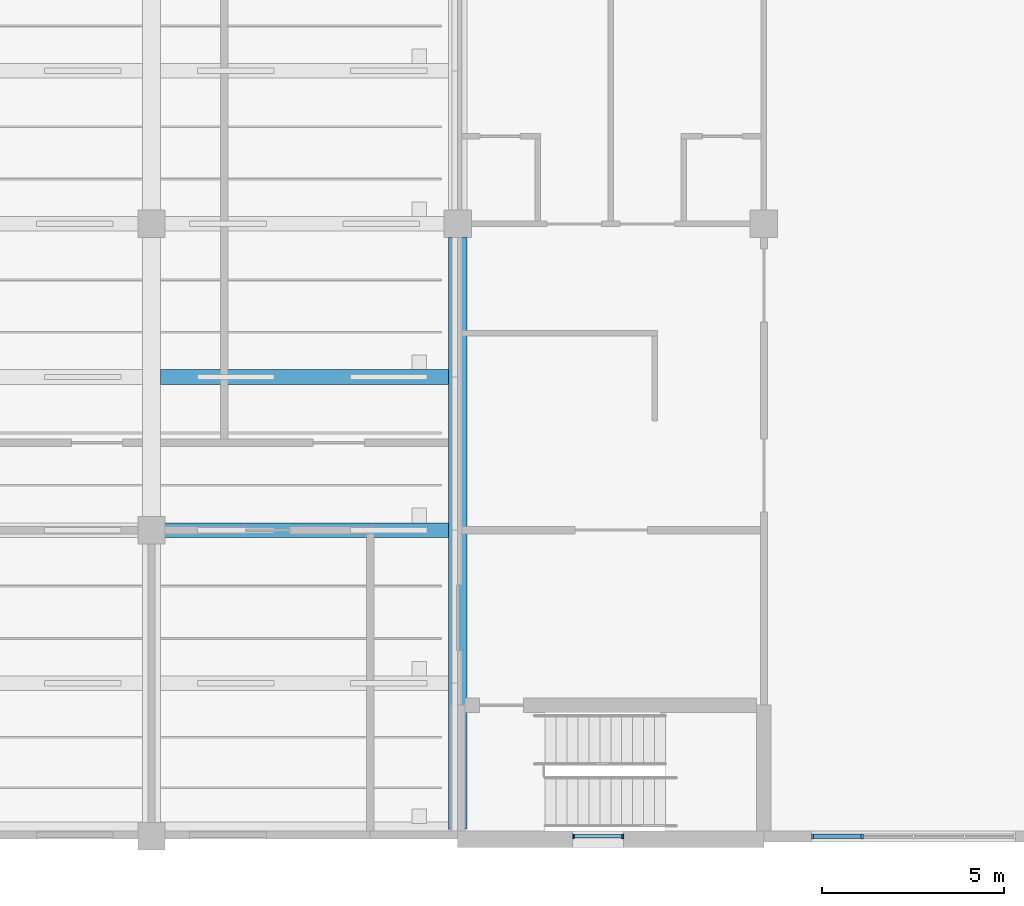
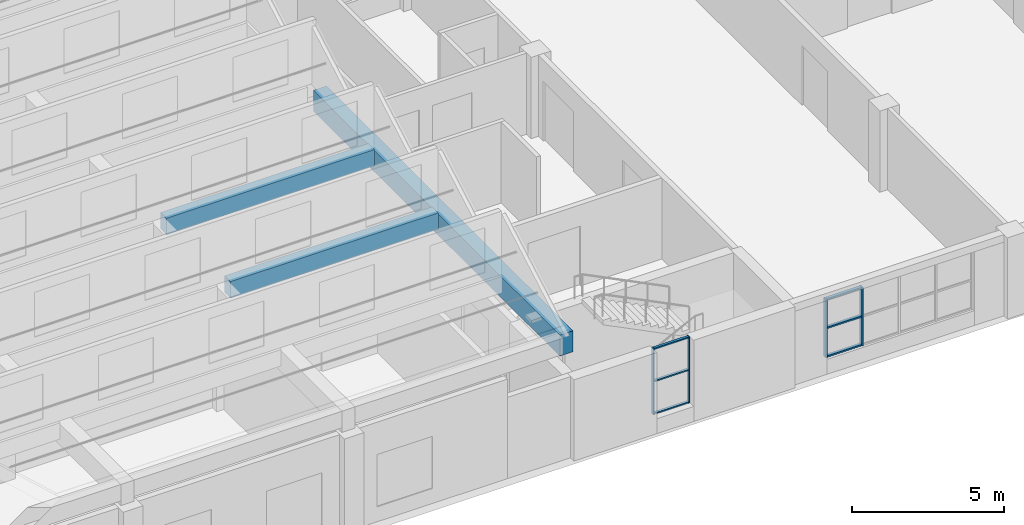
# One storey, part 11 of 61: 10 members, 3 beams, 2 elements without a shape of their own.
"""IFC4 building model written with IfcOpenShell, lengths in metres."""

from ifc_helpers import new_model, si_unit, direction, frame, origin, origin_2d, place, context, subcontext, project, spatial, rectangle, extrude, material, material_profile, profile_set, type_object, element, aggregate, save


model = new_model("IFC4")

# Units and contexts
model_context = context("Model", 3, precision=1e-05, world=origin(), true_north=direction((0.0, 1.0)))
body_context = subcontext(model_context, "Body", "Model", "MODEL_VIEW")
ifc_project = project(units=[si_unit("LENGTHUNIT", "METRE"), si_unit("AREAUNIT", "SQUARE_METRE"), si_unit("VOLUMEUNIT", "CUBIC_METRE"), si_unit("PLANEANGLEUNIT", "RADIAN"), si_unit("MASSUNIT", "GRAM", prefix="KILO")], contexts=[model_context])

# Site, building, storey
site_placement = place(None, origin())
site = spatial("IfcSite", under=ifc_project, at=site_placement, CompositionType="ELEMENT")
building_placement = place(site_placement, origin())
building = spatial("IfcBuilding", under=site, at=building_placement, Name="Yavir Park General Hospital", CompositionType="ELEMENT")
storey_placement = place(building_placement, frame((0.0, 0.0, 15.300048828125)))
storey = spatial("IfcBuildingStorey", under=building, at=storey_placement, Name="L03", CompositionType="ELEMENT", Elevation=15.300048828125)

# Curtain wall, members
ifc_material_1 = material(Name="Aluminium curtain wall frame with insulated glazing", Category="aluminium")
curtain_wall_type_1 = type_object("IfcCurtainWallType", Name="Day room pocket glazing, ward floors, 2360 high, 1400 module", PredefinedType="NOTDEFINED", material=ifc_material_1)
curtain_wall_1_placement = place(storey_placement, origin())
curtain_wall_1 = element("IfcCurtainWall", 1, at=curtain_wall_1_placement, inside=storey, type_object=curtain_wall_type_1, Name="CW6 L03-006", PredefinedType="NOTDEFINED")
ifc_material_2 = material(Name="Aluminium", Category="aluminium")
ifc_material_profile_1 = material_profile(ifc_material_2, rectangle(XDim=0.139892578125, YDim=0.06005859375, at=origin_2d()), Name="AL 60x140")
ifc_profile_set_1 = profile_set([ifc_material_profile_1], Name="Aluminium")
member_type_1 = type_object("IfcMemberType", Name="Day room pocket glazing, ward floors, 2360 high mullion 60 x 140", PredefinedType="MULLION", material=ifc_profile_set_1)
member_1_placement = place(storey_placement, frame((110.530029296875, 0.0, 0.599853515625), z_axis=(0.0, 0.0, 1.0), x_axis=(0.0, 1.0, 0.0)))
member_1 = element("IfcMember", 2, at=member_1_placement, type_object=member_type_1, Name="CW6 mullion 1", PredefinedType="MULLION", context=body_context, shape_type="SweptSolid", body=[
    extrude(rectangle(XDim=0.139892578125, YDim=0.06005859375, at=origin_2d()), origin(), (0.0, 0.0, 1.0), 2.360107421875),
])
member_2_placement = place(storey_placement, frame((111.89990234375, 0.0, 0.599853515625), z_axis=(0.0, 0.0, 1.0), x_axis=(0.0, 1.0, 0.0)))
member_2 = element("IfcMember", 3, at=member_2_placement, type_object=member_type_1, Name="CW6 mullion 2", PredefinedType="MULLION", context=body_context, shape_type="SweptSolid", body=[
    extrude(rectangle(XDim=0.139892578125, YDim=0.06005859375, at=origin_2d()), origin(), (0.0, 0.0, 1.0), 2.360107421875),
])
ifc_material_3 = material(Name="Aluminium", Category="aluminium")
ifc_material_profile_2 = material_profile(ifc_material_3, rectangle(XDim=0.1201171875, YDim=0.06005859375, at=origin_2d()), Name="AL 120x60")
ifc_profile_set_2 = profile_set([ifc_material_profile_2], Name="Aluminium")
member_type_2 = type_object("IfcMemberType", Name="Day room pocket glazing, ward floors, 2360 high transom 60 x 120", PredefinedType="MULLION", material=ifc_profile_set_2)
member_3_placement = place(storey_placement, frame((110.56005859375, 0.0, 0.6298828125), z_axis=(1.0, 0.0, 0.0), x_axis=(0.0, 1.0, 0.0)))
member_3 = element("IfcMember", 4, at=member_3_placement, type_object=member_type_2, Name="CW6 transom 1.1", PredefinedType="MULLION", context=body_context, shape_type="SweptSolid", body=[
    extrude(rectangle(XDim=0.1201171875, YDim=0.06005859375, at=origin_2d()), origin(), (0.0, 0.0, 1.0), 1.31005859375),
])
member_4_placement = place(storey_placement, frame((110.56005859375, 0.0, 1.780029296875), z_axis=(1.0, 0.0, 0.0), x_axis=(0.0, 1.0, 0.0)))
member_4 = element("IfcMember", 5, at=member_4_placement, type_object=member_type_2, Name="CW6 transom 1.2", PredefinedType="MULLION", context=body_context, shape_type="SweptSolid", body=[
    extrude(rectangle(XDim=0.1201171875, YDim=0.06005859375, at=origin_2d()), origin(), (0.0, 0.0, 1.0), 1.31005859375),
])
member_5_placement = place(storey_placement, frame((110.56005859375, 0.0, 2.929931640625), z_axis=(1.0, 0.0, 0.0), x_axis=(0.0, 1.0, 0.0)))
member_5 = element("IfcMember", 6, at=member_5_placement, type_object=member_type_2, Name="CW6 transom 1.3", PredefinedType="MULLION", context=body_context, shape_type="SweptSolid", body=[
    extrude(rectangle(XDim=0.1201171875, YDim=0.06005859375, at=origin_2d()), origin(), (0.0, 0.0, 1.0), 1.31005859375),
])
aggregate(curtain_wall_1, [member_1, member_2, member_3, member_4, member_5])

# Beams
ifc_material_4 = material(Name="Concrete C35/45", Category="concrete")
ifc_material_profile_3 = material_profile(ifc_material_4, rectangle(XDim=0.39990234375, YDim=0.659912109375, at=origin_2d()), Name="RC400x660")
ifc_profile_set_3 = profile_set([ifc_material_profile_3], Name="Concrete C35/45")
beam_type_1 = type_object("IfcBeamType", Name="RC BEAM 400x660 sawtooth kerb beam", PredefinedType="BEAM", material=ifc_profile_set_3)
for number, where, z_axis, x_axis, name in (
    (7, (92.64990234375, 8.39990234375, 4.573974609375), (1.0, 0.0, 0.0), (0.0, 1.0, 0.0), "B:SAW:K2:6"),
    (8, (92.64990234375, 12.60009765625, 4.573974609375), (1.0, 0.0, 0.0), (0.0, 1.0, 0.0), "B:SAW:K3:6"),
):
    element("IfcBeam", number, at=place(storey_placement, frame(where, z_axis=z_axis, x_axis=x_axis)), inside=storey, type_object=beam_type_1, Name=name, PredefinedType="BEAM", context=body_context, shape_type="SweptSolid", body=[
        extrude(rectangle(XDim=0.39990234375, YDim=0.659912109375, at=origin_2d()), origin(), (0.0, 0.0, 1.0), 7.900146484375),
    ])
ifc_material_5 = material(Name="Concrete C35/45", Category="concrete")
ifc_material_profile_4 = material_profile(ifc_material_5, rectangle(XDim=0.5, YDim=0.846923828125, at=origin_2d()), Name="RC500x847")
ifc_profile_set_4 = profile_set([ifc_material_profile_4], Name="Concrete C35/45")
beam_type_2 = type_object("IfcBeamType", Name="RC BEAM 500x847 sawtooth girder", PredefinedType="BEAM", material=ifc_profile_set_4)
beam_placement = place(storey_placement, frame((100.800048828125, 0.199951171875, 4.42333984375), z_axis=(0.0, 1.0, 0.0), x_axis=(-1.0, 0.0, 0.0)))
element("IfcBeam", 9, at=beam_placement, inside=storey, type_object=beam_type_2, Name="B:SAW:G7:0", PredefinedType="BEAM", context=body_context, shape_type="SweptSolid", body=[
    extrude(rectangle(XDim=0.5, YDim=0.846923828125, at=origin_2d()), origin(), (0.0, 0.0, 1.0), 16.22509765625),
])

# Curtain wall, members
ifc_material_6 = material(Name="Aluminium curtain wall frame with insulated glazing", Category="aluminium")
curtain_wall_type_2 = type_object("IfcCurtainWallType", Name="Stair light slot, ward floors, 2660 high, 1400 module", PredefinedType="NOTDEFINED", material=ifc_material_6)
curtain_wall_2_placement = place(storey_placement, origin())
curtain_wall_2 = element("IfcCurtainWall", 10, at=curtain_wall_2_placement, inside=storey, type_object=curtain_wall_type_2, Name="CW10 L03-005", PredefinedType="NOTDEFINED")
ifc_material_7 = material(Name="Aluminium", Category="aluminium")
ifc_material_profile_5 = material_profile(ifc_material_7, rectangle(XDim=0.1201171875, YDim=0.050048828125, at=origin_2d()), Name="AL 50x120")
ifc_profile_set_5 = profile_set([ifc_material_profile_5], Name="Aluminium")
member_type_3 = type_object("IfcMemberType", Name="Stair light slot, ward floors, 2660 high mullion 50 x 120", PredefinedType="MULLION", material=ifc_profile_set_5)
member_6_placement = place(storey_placement, frame((103.97509765625, 0.0, 0.599853515625), z_axis=(0.0, 0.0, 1.0), x_axis=(0.0, 1.0, 0.0)))
member_6 = element("IfcMember", 11, at=member_6_placement, type_object=member_type_3, Name="CW10 mullion 1", PredefinedType="MULLION", context=body_context, shape_type="SweptSolid", body=[
    extrude(rectangle(XDim=0.1201171875, YDim=0.050048828125, at=origin_2d()), origin(), (0.0, 0.0, 1.0), 2.66015625),
])
member_7_placement = place(storey_placement, frame((105.324951171875, 0.0, 0.599853515625), z_axis=(0.0, 0.0, 1.0), x_axis=(0.0, 1.0, 0.0)))
member_7 = element("IfcMember", 12, at=member_7_placement, type_object=member_type_3, Name="CW10 mullion 2", PredefinedType="MULLION", context=body_context, shape_type="SweptSolid", body=[
    extrude(rectangle(XDim=0.1201171875, YDim=0.050048828125, at=origin_2d()), origin(), (0.0, 0.0, 1.0), 2.66015625),
])
ifc_material_8 = material(Name="Aluminium", Category="aluminium")
ifc_material_profile_6 = material_profile(ifc_material_8, rectangle(XDim=0.10009765625, YDim=0.050048828125, at=origin_2d()), Name="AL 100x50")
ifc_profile_set_6 = profile_set([ifc_material_profile_6], Name="Aluminium")
member_type_4 = type_object("IfcMemberType", Name="Stair light slot, ward floors, 2660 high transom 50 x 100", PredefinedType="MULLION", material=ifc_profile_set_6)
member_8_placement = place(storey_placement, frame((104.0, 0.0, 0.625), z_axis=(1.0, 0.0, 0.0), x_axis=(0.0, 1.0, 0.0)))
member_8 = element("IfcMember", 13, at=member_8_placement, type_object=member_type_4, Name="CW10 transom 1.1", PredefinedType="MULLION", context=body_context, shape_type="SweptSolid", body=[
    extrude(rectangle(XDim=0.10009765625, YDim=0.050048828125, at=origin_2d()), origin(), (0.0, 0.0, 1.0), 1.300048828125),
])
member_9_placement = place(storey_placement, frame((104.0, 0.0, 1.929931640625), z_axis=(1.0, 0.0, 0.0), x_axis=(0.0, 1.0, 0.0)))
member_9 = element("IfcMember", 14, at=member_9_placement, type_object=member_type_4, Name="CW10 transom 1.2", PredefinedType="MULLION", context=body_context, shape_type="SweptSolid", body=[
    extrude(rectangle(XDim=0.10009765625, YDim=0.050048828125, at=origin_2d()), origin(), (0.0, 0.0, 1.0), 1.300048828125),
])
member_10_placement = place(storey_placement, frame((104.0, 0.0, 3.23486328125), z_axis=(1.0, 0.0, 0.0), x_axis=(0.0, 1.0, 0.0)))
member_10 = element("IfcMember", 15, at=member_10_placement, type_object=member_type_4, Name="CW10 transom 1.3", PredefinedType="MULLION", context=body_context, shape_type="SweptSolid", body=[
    extrude(rectangle(XDim=0.10009765625, YDim=0.050048828125, at=origin_2d()), origin(), (0.0, 0.0, 1.0), 1.300048828125),
])
aggregate(curtain_wall_2, [member_6, member_7, member_8, member_9, member_10])

save(model, "model.ifc")
